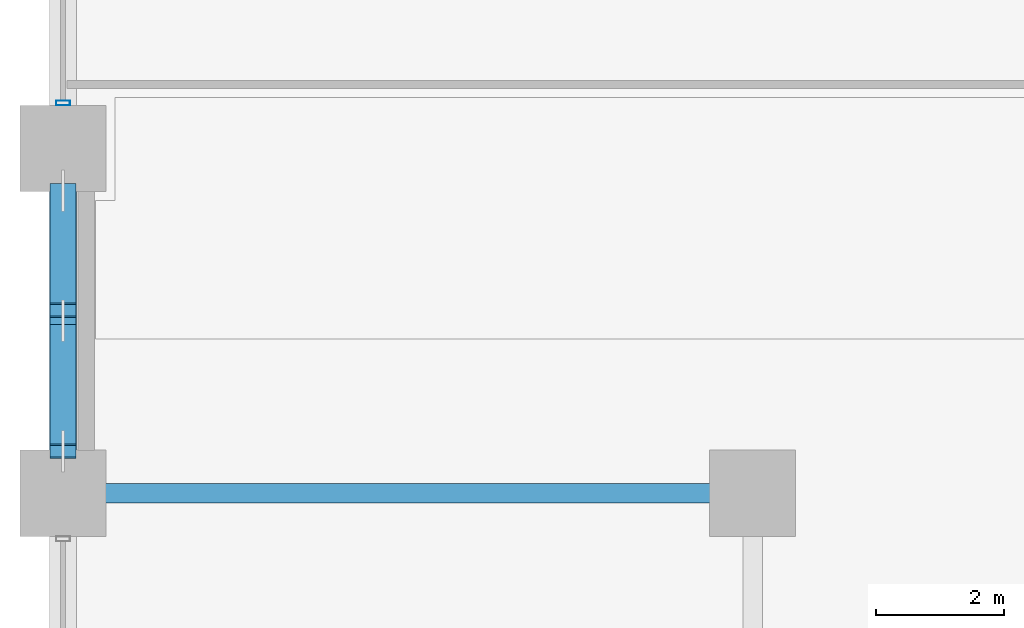
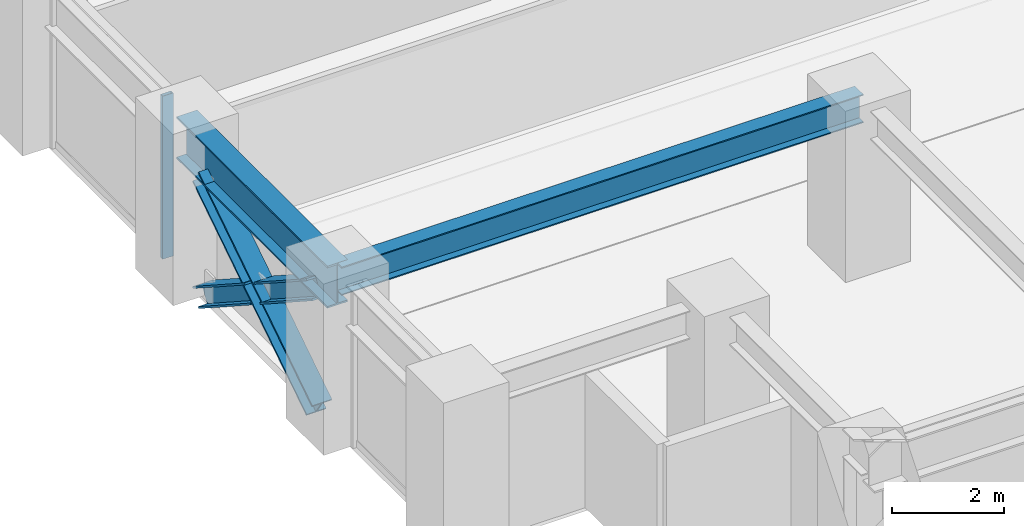
# One storey, part 3 of 25: 4 members, 2 beams, 1 element without a shape of its own.
"""IFC4 building model written with IfcOpenShell, lengths in metres."""

from ifc_helpers import new_model, si_unit, direction, frame, origin, origin_2d, place, context, subcontext, project, spatial, hollow_rectangle, i_section, extrude, material, layer, layer_set, material_profile, profile_set, type_object, element, aggregate, save


model = new_model("IFC4")

# Units and contexts
model_context = context("Model", 3, precision=1e-05, world=origin(), true_north=direction((0.0, 1.0)))
body_context = subcontext(model_context, "Body", "Model", "MODEL_VIEW")
ifc_project = project(units=[si_unit("LENGTHUNIT", "METRE"), si_unit("AREAUNIT", "SQUARE_METRE"), si_unit("VOLUMEUNIT", "CUBIC_METRE"), si_unit("PLANEANGLEUNIT", "RADIAN"), si_unit("MASSUNIT", "GRAM", prefix="KILO")], contexts=[model_context])

# Site, building, storey
site_placement = place(None, origin())
site = spatial("IfcSite", under=ifc_project, at=site_placement, CompositionType="ELEMENT")
building_placement = place(site_placement, origin())
building = spatial("IfcBuilding", under=site, at=building_placement, Name="Surkhivell Harbour Commons", CompositionType="ELEMENT")
storey_placement = place(building_placement, frame((0.0, 0.0, 37.5)))
storey = spatial("IfcBuildingStorey", under=building, at=storey_placement, Name="L09", CompositionType="ELEMENT", Elevation=37.5)

# Beams
ifc_material_1 = material(Name="Steel S355", Category="steel")
ifc_material_profile_1 = material_profile(ifc_material_1, i_section(OverallWidth=0.306884765625, OverallDepth=0.6201171875, WebThickness=0.01416015625, FlangeThickness=0.023681640625, at=origin_2d()), Name="UB610x305x179")
ifc_profile_set_1 = profile_set([ifc_material_profile_1], Name="Steel S355")
beam_type_1 = type_object("IfcBeamType", Name="BM-GRD-610A", PredefinedType="BEAM", material=ifc_profile_set_1)
beam_1_placement = place(storey_placement, frame((-32.39990234375, -16.199951171875, 3.260009765625), z_axis=(1.0, 0.0, 0.0), x_axis=(0.0, 1.0, 0.0)))
element("IfcBeam", 1, at=beam_1_placement, inside=storey, type_object=beam_type_1, Name="L09 Floor Girder (-32.4,-16.2)", PredefinedType="BEAM", context=body_context, shape_type="SweptSolid", body=[
    extrude(i_section(OverallWidth=0.306884765625, OverallDepth=0.6201171875, WebThickness=0.01416015625, FlangeThickness=0.023681640625, at=origin_2d()), origin(), (0.0, 0.0, 1.0), 10.7998046875),
])
ifc_material_2 = material(Name="Steel S460", Category="steel")
ifc_material_profile_2 = material_profile(ifc_material_2, i_section(OverallWidth=0.419921875, OverallDepth=0.9208984375, WebThickness=0.021484375, FlangeThickness=0.03662109375, at=origin_2d()), Name="UB914x419x388")
ifc_profile_set_2 = profile_set([ifc_material_profile_2], Name="Steel S460")
beam_type_2 = type_object("IfcBeamType", Name="BM-SPN-914A", PredefinedType="SPANDREL", material=ifc_profile_set_2)
beam_2_placement = place(storey_placement, frame((-32.39990234375, -16.199951171875, 3.109619140625), z_axis=(0.0, 1.0, 0.0), x_axis=(-1.0, 0.0, 0.0)))
element("IfcBeam", 2, at=beam_2_placement, inside=storey, type_object=beam_type_2, Name="L09 Tube Spandrel (-32.4,-16.2)", PredefinedType="SPANDREL", context=body_context, shape_type="SweptSolid", body=[
    extrude(i_section(OverallWidth=0.419921875, OverallDepth=0.9208984375, WebThickness=0.021484375, FlangeThickness=0.03662109375, at=origin_2d()), origin(), (0.0, 0.0, 1.0), 5.39990234375),
])

# Curtain wall, member
ifc_material_3 = material(Name="Anodised pale-metal aluminium and insulated glazing", Category="aluminium")
ifc_layer = layer(ifc_material_3, 0.219970703125)
ifc_layer_set = layer_set([ifc_layer], Name="Anodised pale-metal aluminium and insulated glazing")
curtain_wall_type = type_object("IfcCurtainWallType", Name="CW-SYS-Z1", PredefinedType="NOTDEFINED", material=ifc_layer_set)
curtain_wall_placement = place(storey_placement, origin())
curtain_wall = element("IfcCurtainWall", 3, at=curtain_wall_placement, inside=storey, type_object=curtain_wall_type, Name="L09 Curtain Wall CW-L09-E12S1", PredefinedType="NOTDEFINED")
ifc_material_4 = material(Name="Anodised pale-metal aluminium alloy 6063-T6", Category="aluminium")
ifc_material_profile_3 = material_profile(ifc_material_4, hollow_rectangle(XDim=0.074951171875, YDim=0.219970703125, WallThickness=0.00390625, at=origin_2d()), Name="ALU-MULL-75x220")
ifc_profile_set_3 = profile_set([ifc_material_profile_3], Name="Anodised pale-metal aluminium alloy 6063-T6")
member_type_1 = type_object("IfcMemberType", Name="CWM-220", PredefinedType="MULLION", material=ifc_profile_set_3)
member_1_placement = place(storey_placement, frame((-32.39990234375, -10.08544921875, 0.0), z_axis=(0.0, 0.0, 1.0), x_axis=(0.0, -1.0, 0.0)))
member_1 = element("IfcMember", 4, at=member_1_placement, type_object=member_type_1, Name="CW-Z1 mullion 7", PredefinedType="MULLION", context=body_context, shape_type="SweptSolid", body=[
    extrude(hollow_rectangle(XDim=0.074951171875, YDim=0.219970703125, WallThickness=0.00390625, at=origin_2d()), origin(), (0.0, 0.0, 1.0), 3.570068359375),
])
aggregate(curtain_wall, [member_1])

# Members
ifc_material_profile_4 = material_profile(ifc_material_2, i_section(OverallWidth=0.406005859375, OverallDepth=0.416015625, WebThickness=0.026611328125, FlangeThickness=0.0390625, at=origin_2d()), Name="HD400x382")
ifc_profile_set_4 = profile_set([ifc_material_profile_4], Name="Steel S460")
member_type_2 = type_object("IfcMemberType", Name="MEM-BRC-HD382", PredefinedType="BRACE", material=ifc_profile_set_4)
member_2_placement = place(storey_placement, frame((-32.39990234375, -15.5400390625, 0.008056640625), z_axis=(0.0, 0.83910375559, 0.543971403067), x_axis=(-1.0, 0.0, 0.0)))
element("IfcMember", 5, at=member_2_placement, inside=storey, type_object=member_type_2, Name="L09 Perimeter Mega-Brace MB- 10", PredefinedType="BRACE", context=body_context, shape_type="SweptSolid", body=[
    extrude(i_section(OverallWidth=0.406005859375, OverallDepth=0.416015625, WebThickness=0.026611328125, FlangeThickness=0.0390625, at=origin_2d()), origin(), (0.0, 0.0, 1.0), 4.8623046875),
])
for number, where, z_axis, x_axis, name in (
    (6, (-32.39990234375, -11.4599609375, 0.008056640625), (0.0, -0.839117847051, 0.54394966565), (1.0, 0.0, 0.0), "L09 Perimeter Mega-Brace MB- 11"),
    (7, (-32.39990234375, -13.66748046875, 1.439208984375), (0.0, -0.839117847051, 0.54394966565), (1.0, 0.0, 0.0), "L09 Perimeter Mega-Brace MB- 12"),
):
    element("IfcMember", number, at=place(storey_placement, frame(where, z_axis=z_axis, x_axis=x_axis)), inside=storey, type_object=member_type_2, Name=name, PredefinedType="BRACE", context=body_context, shape_type="SweptSolid", body=[
        extrude(i_section(OverallWidth=0.406005859375, OverallDepth=0.416015625, WebThickness=0.026611328125, FlangeThickness=0.0390625, at=origin_2d()), origin(), (0.0, 0.0, 1.0), 2.231689453125),
    ])

save(model, "model.ifc")
